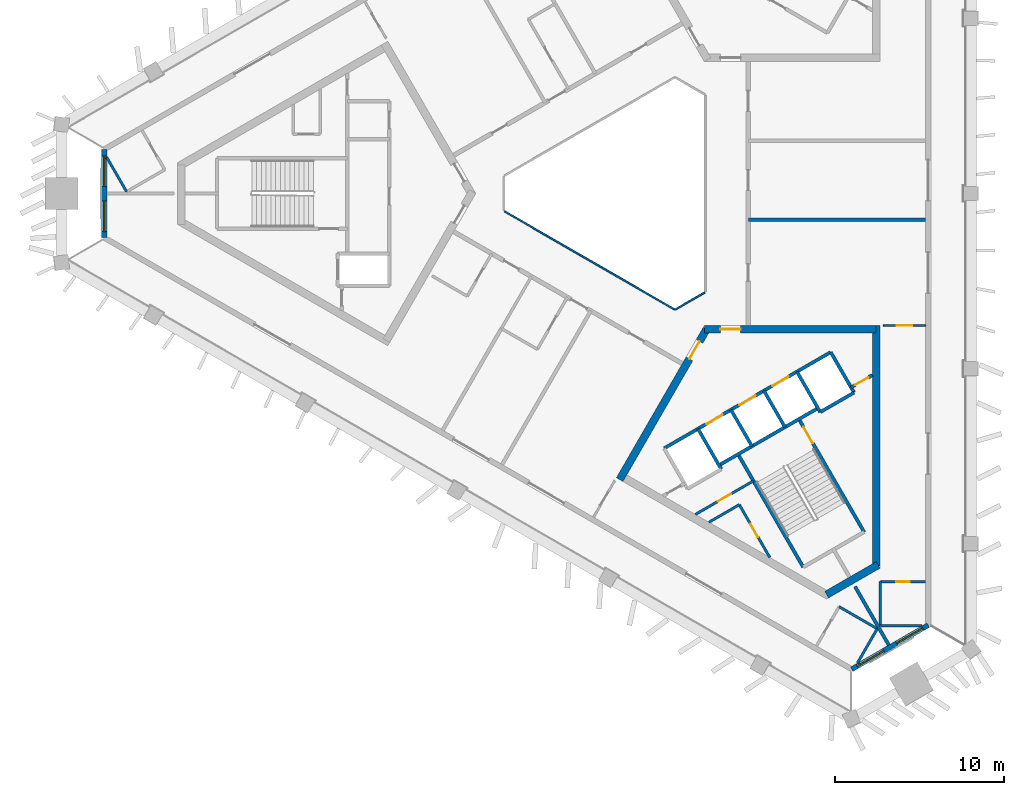
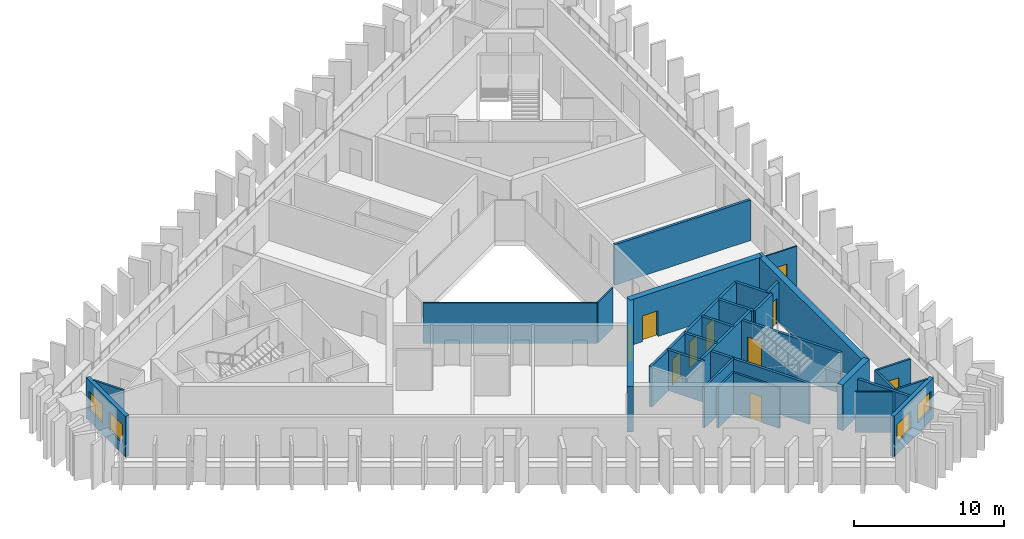
# One storey, part 3 of 10: 31 walls, 11 doors, 4 windows, 15 openings.
"""IFC4 building model written with IfcOpenShell, lengths in metres."""

from ifc_helpers import new_model, si_unit, direction, frame, frame_2d, origin, place, context, subcontext, project, spatial, rectangle, extrude, material, layer, layer_set, type_object, element, fill, save


model = new_model("IFC4")

# Units and contexts
model_context = context("Model", 3, precision=1e-05, world=origin(), true_north=direction((0.0, 1.0)))
body_context = subcontext(model_context, "Body", "Model", "MODEL_VIEW")
ifc_project = project(units=[si_unit("LENGTHUNIT", "METRE"), si_unit("AREAUNIT", "SQUARE_METRE"), si_unit("VOLUMEUNIT", "CUBIC_METRE"), si_unit("PLANEANGLEUNIT", "RADIAN"), si_unit("MASSUNIT", "GRAM", prefix="KILO")], contexts=[model_context])

# Site, building, storey
site_placement = place(None, origin())
site = spatial("IfcSite", under=ifc_project, at=site_placement, CompositionType="ELEMENT")
building_placement = place(site_placement, origin())
building = spatial("IfcBuilding", under=site, at=building_placement, Name="Jabali Bay Hotel Tower and Convention Centre", CompositionType="ELEMENT")
storey_placement = place(building_placement, frame((0.0, 0.0, 216.89990234375)))
storey = spatial("IfcBuildingStorey", under=building, at=storey_placement, Name="L53", CompositionType="ELEMENT", Elevation=216.89990234375)

# Walls
ifc_material_1 = material(Name="Fire-resistant glazing", Category="glass")
ifc_layer_1 = layer(ifc_material_1, 0.10009765625)
ifc_layer_set_1 = layer_set([ifc_layer_1], Name="Fire-resistant glazing")
wall_type_1 = type_object("IfcWallType", Name="Atrium glazed screen 100", PredefinedType="PARTITIONING", material=ifc_layer_set_1)
wall_1_placement = place(storey_placement, frame((67.7021484375, 78.947998046875, 0.0), z_axis=(0.0, 0.0, 1.0), x_axis=(0.866026658274, -0.499997827154, 0.0)))
element("IfcWall", 1, at=wall_1_placement, inside=storey, type_object=wall_type_1, Name="Atrium screen 5 L53", PredefinedType="PARTITIONING", context=body_context, shape_type="SweptSolid", body=[
    extrude(rectangle(XDim=11.58837890625, YDim=0.10009765625, at=frame_2d((5.794189453125, 0.0))), origin(), (0.0, 0.0, 1.0), 3.300048828125),
])
wall_2_placement = place(storey_placement, frame((77.7978515625, 73.15380859375, 0.0), z_axis=(0.0, 0.0, 1.0), x_axis=(0.866041268327, 0.499972520799, 0.0)))
element("IfcWall", 2, at=wall_2_placement, inside=storey, type_object=wall_type_1, Name="Atrium screen 6 L53", PredefinedType="PARTITIONING", context=body_context, shape_type="SweptSolid", body=[
    extrude(rectangle(XDim=2.0, YDim=0.10009765625, at=frame_2d((1.0, 0.0))), origin(), (0.0, 0.0, 1.0), 3.300048828125),
])

# Wall, opening, door
ifc_material_2 = material(Name="Concrete C40", Category="concrete")
ifc_layer_2 = layer(ifc_material_2, 0.199951171875)
ifc_layer_set_2 = layer_set([ifc_layer_2], Name="Concrete C40")
wall_type_2 = type_object("IfcWallType", Name="Core partition wall 200", PredefinedType="PARTITIONING", material=ifc_layer_set_2)
wall_3_placement = place(storey_placement, frame((88.164794921875, 68.548095703125, 0.0), z_axis=(0.0, 0.0, 1.0), x_axis=(0.866013036001, 0.500021421018, 0.0)))
wall_3 = element("IfcWall", 3, at=wall_3_placement, inside=storey, type_object=wall_type_2, Name="Core wall 2.12 L53", PredefinedType="PARTITIONING", context=body_context, shape_type="SweptSolid", body=[
    extrude(rectangle(XDim=1.4609375, YDim=0.199951171875, at=frame_2d((0.73046875, 0.0))), origin(), (0.0, 0.0, 1.0), 3.300048828125),
])
opening_1_placement = place(wall_3_placement, frame((0.280517578125, 0.0, 0.0)))
opening_1 = element("IfcOpeningElement", 4, at=opening_1_placement, cuts=wall_3, Name="Opening D1160", PredefinedType="OPENING", context=body_context, shape_type="SweptSolid", body=[
    extrude(rectangle(XDim=0.89990234375, YDim=2.10009765625, at=frame_2d((0.449951171875, 1.050048828125))), frame((0.0, 0.1103515625, 0.0), z_axis=(0.0, -1.0, 0.0), x_axis=(1.0, 0.0, 0.0)), (0.0, 0.0, 1.0), 0.220947265625),
])
ifc_material_3 = material(Name="Fire-rated steel door", Category="steel")
door_type_1 = type_object("IfcDoorType", Name="Vestibule fire door 900 x 2100", OperationType="NOTDEFINED", PredefinedType="NOTDEFINED", material=ifc_material_3)
door_1_placement = place(opening_1_placement, origin())
door_1 = element("IfcDoor", 5, at=door_1_placement, inside=storey, type_object=door_type_1, Name="Vestibule fire door D1160", OperationType="SINGLE_SWING_LEFT", OverallHeight=2.10009765625, OverallWidth=0.89990234375, PredefinedType="NOTDEFINED", context=body_context, shape_type="SweptSolid", body=[
    extrude(rectangle(XDim=0.89990234375, YDim=2.10009765625, at=frame_2d((0.449951171875, 1.050048828125))), frame((0.0, 0.02490234375, 0.0), z_axis=(0.0, -1.0, 0.0), x_axis=(1.0, 0.0, 0.0)), (0.0, 0.0, 1.0), 0.050048828125),
])
fill(opening_1, door_1)

ifc_material_4 = material(Name="Fire-rated board partition")
ifc_layer_3 = layer(ifc_material_4, 0.14990234375)
ifc_layer_set_3 = layer_set([ifc_layer_3], Name="Fire-rated board partition")
wall_type_3 = type_object("IfcWallType", Name="Core room partition 150", PredefinedType="PARTITIONING", material=ifc_layer_set_3)
wall_4_placement = place(storey_placement, frame((81.56884765625, 61.622314453125, 0.0), z_axis=(0.0, 0.0, 1.0), x_axis=(0.500043557135, -0.866000254601, 0.0)))
wall_4 = element("IfcWall", 6, at=wall_4_placement, inside=storey, type_object=wall_type_3, Name="Core wall 2.1 L53", PredefinedType="PARTITIONING", context=body_context, shape_type="SweptSolid", body=[
    extrude(rectangle(XDim=3.597900390625, YDim=0.14990234375, at=frame_2d((1.798828125, 0.0))), origin(), (0.0, 0.0, 1.0), 3.300048828125),
])
opening_2_placement = place(wall_4_placement, frame((1.321533203125, 0.0, 0.0)))
opening_2 = element("IfcOpeningElement", 7, at=opening_2_placement, cuts=wall_4, Name="Opening D1163", PredefinedType="OPENING", context=body_context, shape_type="SweptSolid", body=[
    extrude(rectangle(XDim=0.89990234375, YDim=2.10009765625, at=frame_2d((0.449951171875, 1.050048828125))), frame((0.0, 0.08544921875, 0.0), z_axis=(0.0, -1.0, 0.0), x_axis=(1.0, 0.0, 0.0)), (0.0, 0.0, 1.0), 0.1708984375),
])
door_type_2 = type_object("IfcDoorType", Name="Core room door 900 x 2100", OperationType="NOTDEFINED", PredefinedType="NOTDEFINED", material=ifc_material_3)
door_2_placement = place(opening_2_placement, origin())
door_2 = element("IfcDoor", 8, at=door_2_placement, inside=storey, type_object=door_type_2, Name="Core room door D1163", OperationType="SINGLE_SWING_LEFT", OverallHeight=2.10009765625, OverallWidth=0.89990234375, PredefinedType="NOTDEFINED", context=body_context, shape_type="SweptSolid", body=[
    extrude(rectangle(XDim=0.89990234375, YDim=2.10009765625, at=frame_2d((0.449951171875, 1.050048828125))), frame((0.0, 0.02490234375, 0.0), z_axis=(0.0, -1.0, 0.0), x_axis=(1.0, 0.0, 0.0)), (0.0, 0.0, 1.0), 0.050048828125),
])
fill(opening_2, door_2)

wall_5_placement = place(storey_placement, frame((78.969970703125, 61.045654296875, 0.0), z_axis=(0.0, 0.0, 1.0), x_axis=(0.866044057189, 0.499967689963, 0.0)))
wall_5 = element("IfcWall", 9, at=wall_5_placement, inside=storey, type_object=wall_type_3, Name="Core wall 2.16 L53", PredefinedType="PARTITIONING", context=body_context, shape_type="SweptSolid", body=[
    extrude(rectangle(XDim=3.964111328125, YDim=0.14990234375, at=frame_2d((1.98193359375, 0.0))), origin(), (0.0, 0.0, 1.0), 3.300048828125),
])
opening_3_placement = place(wall_5_placement, frame((1.531982421875, 0.0, 0.0)))
opening_3 = element("IfcOpeningElement", 10, at=opening_3_placement, cuts=wall_5, Name="Opening D1159", PredefinedType="OPENING", context=body_context, shape_type="SweptSolid", body=[
    extrude(rectangle(XDim=0.89990234375, YDim=2.10009765625, at=frame_2d((0.449951171875, 1.050048828125))), frame((0.0, 0.08544921875, 0.0), z_axis=(0.0, -1.0, 0.0), x_axis=(1.0, 0.0, 0.0)), (0.0, 0.0, 1.0), 0.1708984375),
])
door_3_placement = place(opening_3_placement, origin())
door_3 = element("IfcDoor", 11, at=door_3_placement, inside=storey, type_object=door_type_2, Name="Core room door D1159", OperationType="SINGLE_SWING_RIGHT", OverallHeight=2.10009765625, OverallWidth=0.89990234375, PredefinedType="NOTDEFINED", context=body_context, shape_type="SweptSolid", body=[
    extrude(rectangle(XDim=0.89990234375, YDim=2.10009765625, at=frame_2d((0.449951171875, 1.050048828125))), frame((0.0, 0.02490234375, 0.0), z_axis=(0.0, -1.0, 0.0), x_axis=(1.0, 0.0, 0.0)), (0.0, 0.0, 1.0), 0.050048828125),
])
fill(opening_3, door_3)

# Walls
wall_6_placement = place(storey_placement, frame((79.77001953125, 60.583740234375, 0.0), z_axis=(0.0, 0.0, 1.0), x_axis=(0.866021168401, 0.500007335828, 0.0)))
element("IfcWall", 12, at=wall_6_placement, inside=storey, type_object=wall_type_3, Name="Core wall 2.17 L53", PredefinedType="PARTITIONING", context=body_context, shape_type="SweptSolid", body=[
    extrude(rectangle(XDim=2.0771484375, YDim=0.14990234375, at=frame_2d((1.03857421875, 0.0))), origin(), (0.0, 0.0, 1.0), 3.300048828125),
])
ifc_layer_4 = layer(ifc_material_2, 0.199951171875)
ifc_layer_set_4 = layer_set([ifc_layer_4], Name="Concrete C40")
wall_type_4 = type_object("IfcWallType", Name="Core stair wall 200", PredefinedType="SOLIDWALL", material=ifc_layer_set_4)
wall_7_placement = place(storey_placement, frame((79.127197265625, 66.1015625, 0.0), z_axis=(0.0, 0.0, 1.0), x_axis=(0.499996545922, -0.866027397988, 0.0)))
element("IfcWall", 13, at=wall_7_placement, inside=storey, type_object=wall_type_4, Name="Core wall 2.2 L53", PredefinedType="SOLIDWALL", context=body_context, shape_type="SweptSolid", body=[
    extrude(rectangle(XDim=2.75, YDim=0.199951171875, at=frame_2d((1.375, 0.0))), origin(), (0.0, 0.0, 1.0), 3.300048828125),
])
wall_8_placement = place(storey_placement, frame((81.492919921875, 64.603759765625, 0.0), z_axis=(0.0, 0.0, 1.0), x_axis=(0.500006057782, -0.866021906294, 0.0)))
element("IfcWall", 14, at=wall_8_placement, inside=storey, type_object=wall_type_4, Name="Core wall 2.3 L53", PredefinedType="SOLIDWALL", context=body_context, shape_type="SweptSolid", body=[
    extrude(rectangle(XDim=7.7001953125, YDim=0.199951171875, at=frame_2d((3.85009765625, 0.0))), origin(), (0.0, 0.0, 1.0), 3.300048828125),
])
for number, where, z_axis, x_axis, name in (
    (15, (81.07568359375, 67.2265625, 0.0), (0.0, 0.0, 1.0), (0.50000366821, -0.866023285932, 0.0), "Core wall 2.4 L53"),
    (16, (83.024169921875, 68.3515625, 0.0), (0.0, 0.0, 1.0), (0.50000366821, -0.866023285932, 0.0), "Core wall 2.6 L53"),
):
    element("IfcWall", number, at=place(storey_placement, frame(where, z_axis=z_axis, x_axis=x_axis)), inside=storey, type_object=wall_type_4, Name=name, PredefinedType="SOLIDWALL", context=body_context, shape_type="SweptSolid", body=[
        extrude(rectangle(XDim=2.47998046875, YDim=0.199951171875, at=frame_2d((1.239990234375, 0.0))), origin(), (0.0, 0.0, 1.0), 3.300048828125),
    ])

# Wall, opening, door
wall_9_placement = place(storey_placement, frame((85.0869140625, 66.6787109375, 0.0), z_axis=(0.0, 0.0, 1.0), x_axis=(0.500019787375, -0.866013979237, 0.0)))
wall_9 = element("IfcWall", 17, at=wall_9_placement, inside=storey, type_object=wall_type_4, Name="Core wall 2.7 L53", PredefinedType="SOLIDWALL", context=body_context, shape_type="SweptSolid", body=[
    extrude(rectangle(XDim=7.699951171875, YDim=0.199951171875, at=frame_2d((3.85009765625, 0.0))), origin(), (0.0, 0.0, 1.0), 3.300048828125),
])
opening_4_placement = place(wall_9_placement, frame((0.550048828125, 0.0, 0.0)))
opening_4 = element("IfcOpeningElement", 18, at=opening_4_placement, cuts=wall_9, Name="Opening D1162", PredefinedType="OPENING", context=body_context, shape_type="SweptSolid", body=[
    extrude(rectangle(XDim=1.10009765625, YDim=2.10009765625, at=frame_2d((0.550048828125, 1.050048828125))), frame((0.0, 0.1103515625, 0.0), z_axis=(0.0, -1.0, 0.0), x_axis=(1.0, 0.0, 0.0)), (0.0, 0.0, 1.0), 0.220947265625),
])
door_type_3 = type_object("IfcDoorType", Name="Stair fire door 1100 x 2100", OperationType="NOTDEFINED", PredefinedType="NOTDEFINED", material=ifc_material_3)
door_4_placement = place(opening_4_placement, origin())
door_4 = element("IfcDoor", 19, at=door_4_placement, inside=storey, type_object=door_type_3, Name="Stair fire door D1162", OperationType="SINGLE_SWING_RIGHT", OverallHeight=2.10009765625, OverallWidth=1.10009765625, PredefinedType="NOTDEFINED", context=body_context, shape_type="SweptSolid", body=[
    extrude(rectangle(XDim=1.10009765625, YDim=2.10009765625, at=frame_2d((0.550048828125, 1.050048828125))), frame((0.0, 0.02490234375, 0.0), z_axis=(0.0, -1.0, 0.0), x_axis=(1.0, 0.0, 0.0)), (0.0, 0.0, 1.0), 0.050048828125),
])
fill(opening_4, door_4)

# Walls
for number, where, z_axis, x_axis, name in (
    (20, (84.972900390625, 69.4765625, 0.0), (0.0, 0.0, 1.0), (0.499996545922, -0.866027397988, 0.0), "Core wall 2.8 L53"),
    (21, (86.964599609375, 70.62646484375, 0.0), (0.0, 0.0, 1.0), (0.499996545922, -0.866027397988, 0.0), "Core wall 2.9 L53"),
):
    element("IfcWall", number, at=place(storey_placement, frame(where, z_axis=z_axis, x_axis=x_axis)), inside=storey, type_object=wall_type_4, Name=name, PredefinedType="SOLIDWALL", context=body_context, shape_type="SweptSolid", body=[
        extrude(rectangle(XDim=2.75, YDim=0.199951171875, at=frame_2d((1.375, 0.0))), origin(), (0.0, 0.0, 1.0), 3.300048828125),
    ])

# Wall, openings, doors
wall_10_placement = place(storey_placement, frame((77.13525390625, 64.95166015625, 0.0), z_axis=(0.0, 0.0, 1.0), x_axis=(0.866031916153, 0.499988720078, 0.0)))
wall_10 = element("IfcWall", 22, at=wall_10_placement, inside=storey, type_object=wall_type_4, Name="Core wall 2.10 L53", PredefinedType="SOLIDWALL", context=body_context, shape_type="SweptSolid", body=[
    extrude(rectangle(XDim=11.349853515625, YDim=0.199951171875, at=frame_2d((5.6748046875, 0.0))), origin(), (0.0, 0.0, 1.0), 3.300048828125),
])
opening_5_placement = place(wall_10_placement, frame((2.875, 0.0, 0.0)))
opening_5 = element("IfcOpeningElement", 23, at=opening_5_placement, cuts=wall_10, Name="Opening LD12-L53", PredefinedType="OPENING", context=body_context, shape_type="SweptSolid", body=[
    extrude(rectangle(XDim=1.10009765625, YDim=2.10009765625, at=frame_2d((0.550048828125, 1.050048828125))), frame((0.0, 0.1103515625, 0.0), z_axis=(0.0, -1.0, 0.0), x_axis=(1.0, 0.0, 0.0)), (0.0, 0.0, 1.0), 0.220947265625),
])
opening_6_placement = place(wall_10_placement, frame((5.125, 0.0, 0.0)))
opening_6 = element("IfcOpeningElement", 24, at=opening_6_placement, cuts=wall_10, Name="Opening LD13-L53", PredefinedType="OPENING", context=body_context, shape_type="SweptSolid", body=[
    extrude(rectangle(XDim=1.10009765625, YDim=2.10009765625, at=frame_2d((0.550048828125, 1.050048828125))), frame((0.0, 0.1103515625, 0.0), z_axis=(0.0, -1.0, 0.0), x_axis=(1.0, 0.0, 0.0)), (0.0, 0.0, 1.0), 0.220947265625),
])
opening_7_placement = place(wall_10_placement, frame((7.375, 0.0, 0.0)))
opening_7 = element("IfcOpeningElement", 25, at=opening_7_placement, cuts=wall_10, Name="Opening LD14-L53", PredefinedType="OPENING", context=body_context, shape_type="SweptSolid", body=[
    extrude(rectangle(XDim=1.10009765625, YDim=2.10009765625, at=frame_2d((0.550048828125, 1.050048828125))), frame((0.0, 0.1103515625, 0.0), z_axis=(0.0, -1.0, 0.0), x_axis=(1.0, 0.0, 0.0)), (0.0, 0.0, 1.0), 0.220947265625),
])
ifc_material_5 = material(Name="Stainless steel landing door", Category="steel")
door_type_4 = type_object("IfcDoorType", Name="Landing door 1100 x 2100", OperationType="NOTDEFINED", PredefinedType="NOTDEFINED", material=ifc_material_5)
door_5_placement = place(opening_5_placement, origin())
door_5 = element("IfcDoor", 26, at=door_5_placement, inside=storey, type_object=door_type_4, Name="Landing doors LD12-L53", OperationType="SLIDING_TO_LEFT", OverallHeight=2.10009765625, OverallWidth=1.10009765625, PredefinedType="NOTDEFINED", context=body_context, shape_type="SweptSolid", body=[
    extrude(rectangle(XDim=1.10009765625, YDim=2.10009765625, at=frame_2d((0.550048828125, 1.050048828125))), frame((0.0, 0.02490234375, 0.0), z_axis=(0.0, -1.0, 0.0), x_axis=(1.0, 0.0, 0.0)), (0.0, 0.0, 1.0), 0.050048828125),
])
fill(opening_5, door_5)
door_6_placement = place(opening_6_placement, origin())
door_6 = element("IfcDoor", 27, at=door_6_placement, inside=storey, type_object=door_type_4, Name="Landing doors LD13-L53", OperationType="SLIDING_TO_RIGHT", OverallHeight=2.10009765625, OverallWidth=1.10009765625, PredefinedType="NOTDEFINED", context=body_context, shape_type="SweptSolid", body=[
    extrude(rectangle(XDim=1.10009765625, YDim=2.10009765625, at=frame_2d((0.550048828125, 1.050048828125))), frame((0.0, 0.02490234375, 0.0), z_axis=(0.0, -1.0, 0.0), x_axis=(1.0, 0.0, 0.0)), (0.0, 0.0, 1.0), 0.050048828125),
])
fill(opening_6, door_6)
door_7_placement = place(opening_7_placement, origin())
door_7 = element("IfcDoor", 28, at=door_7_placement, inside=storey, type_object=door_type_4, Name="Landing doors LD14-L53", OperationType="SLIDING_TO_LEFT", OverallHeight=2.10009765625, OverallWidth=1.10009765625, PredefinedType="NOTDEFINED", context=body_context, shape_type="SweptSolid", body=[
    extrude(rectangle(XDim=1.10009765625, YDim=2.10009765625, at=frame_2d((0.550048828125, 1.050048828125))), frame((0.0, 0.02490234375, 0.0), z_axis=(0.0, -1.0, 0.0), x_axis=(1.0, 0.0, 0.0)), (0.0, 0.0, 1.0), 0.050048828125),
])
fill(opening_7, door_7)

# Walls
wall_11_placement = place(storey_placement, frame((80.3671875, 63.953857421875, 0.0), z_axis=(0.0, 0.0, 1.0), x_axis=(0.866026575979, 0.499997969693, 0.0)))
element("IfcWall", 29, at=wall_11_placement, inside=storey, type_object=wall_type_4, Name="Core wall 2.13 L53", PredefinedType="SOLIDWALL", context=body_context, shape_type="SweptSolid", body=[
    extrude(rectangle(XDim=6.75, YDim=0.199951171875, at=frame_2d((3.375, 0.0))), origin(), (0.0, 0.0, 1.0), 3.300048828125),
])
wall_12_placement = place(storey_placement, frame((86.347900390625, 67.094970703125, 0.0), z_axis=(0.0, 0.0, 1.0), x_axis=(0.86602648383, 0.499998129301, 0.0)))
element("IfcWall", 30, at=wall_12_placement, inside=storey, type_object=wall_type_4, Name="Core wall 2.15 L53", PredefinedType="SOLIDWALL", context=body_context, shape_type="SweptSolid", body=[
    extrude(rectangle(XDim=2.2998046875, YDim=0.199951171875, at=frame_2d((1.14990234375, 0.0))), origin(), (0.0, 0.0, 1.0), 3.300048828125),
])

# Wall, opening, door
ifc_material_6 = material(Name="Concrete C60", Category="concrete")
ifc_layer_5 = layer(ifc_material_6, 0.449951171875)
ifc_layer_set_5 = layer_set([ifc_layer_5], Name="Concrete C60")
wall_type_5 = type_object("IfcWallType", Name="Core wall 450", PredefinedType="SHEAR", material=ifc_layer_set_5)
wall_13_placement = place(storey_placement, frame((79.6298828125, 71.980712890625, 0.0), z_axis=(0.0, 0.0, 1.0), x_axis=(-0.500002171595, -0.86602415001, 0.0)))
wall_13 = element("IfcWall", 31, at=wall_13_placement, inside=storey, type_object=wall_type_5, Name="Core wall 3.1 L53", PredefinedType="SHEAR", context=body_context, shape_type="SweptSolid", body=[
    extrude(rectangle(XDim=10.25, YDim=0.449951171875, at=frame_2d((5.125, 0.0))), origin(), (0.0, 0.0, 1.0), 3.7001953125),
])
opening_8_placement = place(wall_13_placement, frame((0.820068359375, 0.0, 0.0)))
opening_8 = element("IfcOpeningElement", 32, at=opening_8_placement, cuts=wall_13, Name="Opening D1157", PredefinedType="OPENING", context=body_context, shape_type="SweptSolid", body=[
    extrude(rectangle(XDim=1.199951171875, YDim=2.10009765625, at=frame_2d((0.60009765625, 1.050048828125))), frame((0.0, 0.2353515625, 0.0), z_axis=(0.0, -1.0, 0.0), x_axis=(1.0, 0.0, 0.0)), (0.0, 0.0, 1.0), 0.470947265625),
])
door_type_5 = type_object("IfcDoorType", Name="Corridor end fire door 1200 x 2100", OperationType="NOTDEFINED", PredefinedType="NOTDEFINED", material=ifc_material_3)
door_8_placement = place(opening_8_placement, origin())
door_8 = element("IfcDoor", 33, at=door_8_placement, inside=storey, type_object=door_type_5, Name="Corridor end fire door D1157", OperationType="SINGLE_SWING_RIGHT", OverallHeight=2.10009765625, OverallWidth=1.199951171875, PredefinedType="NOTDEFINED", context=body_context, shape_type="SweptSolid", body=[
    extrude(rectangle(XDim=1.199951171875, YDim=2.10009765625, at=frame_2d((0.60009765625, 1.050048828125))), frame((0.0, 0.02490234375, 0.0), z_axis=(0.0, -1.0, 0.0), x_axis=(1.0, 0.0, 0.0)), (0.0, 0.0, 1.0), 0.050048828125),
])
fill(opening_8, door_8)

# Walls
wall_14_placement = place(storey_placement, frame((86.72314453125, 56.3095703125, 0.0), z_axis=(0.0, 0.0, 1.0), x_axis=(0.866042179588, 0.49997094233, 0.0)))
element("IfcWall", 34, at=wall_14_placement, inside=storey, type_object=wall_type_5, Name="Core wall 3.3 L53", PredefinedType="SHEAR", context=body_context, shape_type="SweptSolid", body=[
    extrude(rectangle(XDim=3.515380859375, YDim=0.449951171875, at=frame_2d((1.7578125, 0.0))), origin(), (0.0, 0.0, 1.0), 3.7001953125),
])
wall_15_placement = place(storey_placement, frame((89.655029296875, 58.002197265625, 0.0), z_axis=(0.0, 0.0, 1.0), x_axis=(0.0, 1.0, 0.0)))
element("IfcWall", 35, at=wall_15_placement, inside=storey, type_object=wall_type_5, Name="Core wall 3.4 L53", PredefinedType="SHEAR", context=body_context, shape_type="SweptSolid", body=[
    extrude(rectangle(XDim=14.20361328125, YDim=0.449951171875, at=frame_2d((7.101806640625, 0.0))), origin(), (0.0, 0.0, 1.0), 3.7001953125),
])

# Wall, opening, door
wall_16_placement = place(storey_placement, frame((89.655029296875, 71.980712890625, 0.0), z_axis=(0.0, 0.0, 1.0), x_axis=(-1.0, 0.0, 0.0)))
wall_16 = element("IfcWall", 36, at=wall_16_placement, inside=storey, type_object=wall_type_5, Name="Core wall 3.5 L53", PredefinedType="SHEAR", context=body_context, shape_type="SweptSolid", body=[
    extrude(rectangle(XDim=10.155029296875, YDim=0.449951171875, at=frame_2d((5.07763671875, 0.0))), origin(), (0.0, 0.0, 1.0), 3.7001953125),
])
opening_9_placement = place(wall_16_placement, frame((8.0048828125, 0.0, 0.0)))
opening_9 = element("IfcOpeningElement", 37, at=opening_9_placement, cuts=wall_16, Name="Opening D1158", PredefinedType="OPENING", context=body_context, shape_type="SweptSolid", body=[
    extrude(rectangle(XDim=1.199951171875, YDim=2.10009765625, at=frame_2d((0.60009765625, 1.050048828125))), frame((0.0, 0.2353515625, 0.0), z_axis=(0.0, -1.0, 0.0), x_axis=(1.0, 0.0, 0.0)), (0.0, 0.0, 1.0), 0.470947265625),
])
door_9_placement = place(opening_9_placement, origin())
door_9 = element("IfcDoor", 38, at=door_9_placement, inside=storey, type_object=door_type_5, Name="Corridor end fire door D1158", OperationType="SINGLE_SWING_LEFT", OverallHeight=2.10009765625, OverallWidth=1.199951171875, PredefinedType="NOTDEFINED", context=body_context, shape_type="SweptSolid", body=[
    extrude(rectangle(XDim=1.199951171875, YDim=2.10009765625, at=frame_2d((0.60009765625, 1.050048828125))), frame((0.0, 0.02490234375, 0.0), z_axis=(0.0, -1.0, 0.0), x_axis=(1.0, 0.0, 0.0)), (0.0, 0.0, 1.0), 0.050048828125),
])
fill(opening_9, door_9)

# Wall, openings, windows
ifc_layer_6 = layer(ifc_material_2, 0.300048828125)
ifc_layer_set_6 = layer_set([ifc_layer_6], Name="Concrete C40")
wall_type_6 = type_object("IfcWallType", Name="External wall 300", PredefinedType="SOLIDWALL", material=ifc_layer_set_6)
wall_17_placement = place(storey_placement, frame((44.06298828125, 77.392578125, 0.0), z_axis=(0.0, 0.0, 1.0), x_axis=(0.0, 1.0, 0.0)))
wall_17 = element("IfcWall", 39, at=wall_17_placement, inside=storey, type_object=wall_type_6, Name="External wall west chamfer L53", PredefinedType="SOLIDWALL", context=body_context, shape_type="SweptSolid", body=[
    extrude(rectangle(XDim=5.21484375, YDim=0.300048828125, at=frame_2d((2.607421875, 0.0))), origin(), (0.0, 0.0, 1.0), 3.300048828125),
])
opening_10_placement = place(wall_17_placement, frame((3.0361328125, 0.0, 0.89990234375)))
opening_10 = element("IfcOpeningElement", 40, at=opening_10_placement, cuts=wall_17, Name="Opening W1", PredefinedType="OPENING", context=body_context, shape_type="SweptSolid", body=[
    extrude(rectangle(XDim=1.800048828125, YDim=1.5, at=frame_2d((0.89990234375, 0.75))), frame((0.0, 0.16064453125, 0.0), z_axis=(0.0, -1.0, 0.0), x_axis=(1.0, 0.0, 0.0)), (0.0, 0.0, 1.0), 0.321044921875),
])
opening_11_placement = place(wall_17_placement, frame((0.361083984375, 0.0, 0.89990234375)))
opening_11 = element("IfcOpeningElement", 41, at=opening_11_placement, cuts=wall_17, Name="Opening W1", PredefinedType="OPENING", context=body_context, shape_type="SweptSolid", body=[
    extrude(rectangle(XDim=1.800048828125, YDim=1.5, at=frame_2d((0.89990234375, 0.75))), frame((0.0, 0.16064453125, 0.0), z_axis=(0.0, -1.0, 0.0), x_axis=(1.0, 0.0, 0.0)), (0.0, 0.0, 1.0), 0.321044921875),
])
ifc_material_7 = material(Name="Glass", Category="glass")
window_type = type_object("IfcWindowType", Name="Window 1800 x 1500", PartitioningType="SINGLE_PANEL", PredefinedType="WINDOW", material=ifc_material_7)
window_1_placement = place(opening_10_placement, origin())
window_1 = element("IfcWindow", 42, at=window_1_placement, inside=storey, type_object=window_type, Name="Window 5305", OverallHeight=1.5, OverallWidth=1.800048828125, PartitioningType="SINGLE_PANEL", PredefinedType="WINDOW", context=body_context, shape_type="SweptSolid", body=[
    extrude(rectangle(XDim=1.800048828125, YDim=1.5, at=frame_2d((0.89990234375, 0.75))), frame((0.0, 0.030029296875, 0.0), z_axis=(0.0, -1.0, 0.0), x_axis=(1.0, 0.0, 0.0)), (0.0, 0.0, 1.0), 0.06005859375),
])
fill(opening_10, window_1)
window_2_placement = place(opening_11_placement, origin())
window_2 = element("IfcWindow", 43, at=window_2_placement, inside=storey, type_object=window_type, Name="Window 5306", OverallHeight=1.5, OverallWidth=1.800048828125, PartitioningType="SINGLE_PANEL", PredefinedType="WINDOW", context=body_context, shape_type="SweptSolid", body=[
    extrude(rectangle(XDim=1.800048828125, YDim=1.5, at=frame_2d((0.89990234375, 0.75))), frame((0.0, 0.030029296875, 0.0), z_axis=(0.0, -1.0, 0.0), x_axis=(1.0, 0.0, 0.0)), (0.0, 0.0, 1.0), 0.06005859375),
])
fill(opening_11, window_2)

wall_18_placement = place(storey_placement, frame((92.726806640625, 54.511474609375, 0.0), z_axis=(0.0, 0.0, 1.0), x_axis=(-0.866045268016, -0.499965592563, 0.0)))
wall_18 = element("IfcWall", 44, at=wall_18_placement, inside=storey, type_object=wall_type_6, Name="External wall south-east chamfer L53", PredefinedType="SOLIDWALL", context=body_context, shape_type="SweptSolid", body=[
    extrude(rectangle(XDim=5.215087890625, YDim=0.300048828125, at=frame_2d((2.607421875, 0.0))), origin(), (0.0, 0.0, 1.0), 3.300048828125),
])
opening_12_placement = place(wall_18_placement, frame((0.351318359375, 0.0, 0.89990234375)))
opening_12 = element("IfcOpeningElement", 45, at=opening_12_placement, cuts=wall_18, Name="Opening W1", PredefinedType="OPENING", context=body_context, shape_type="SweptSolid", body=[
    extrude(rectangle(XDim=1.800048828125, YDim=1.5, at=frame_2d((0.89990234375, 0.75))), frame((0.0, 0.16064453125, 0.0), z_axis=(0.0, -1.0, 0.0), x_axis=(1.0, 0.0, 0.0)), (0.0, 0.0, 1.0), 0.321044921875),
])
opening_13_placement = place(wall_18_placement, frame((3.0361328125, 0.0, 0.89990234375)))
opening_13 = element("IfcOpeningElement", 46, at=opening_13_placement, cuts=wall_18, Name="Opening W1", PredefinedType="OPENING", context=body_context, shape_type="SweptSolid", body=[
    extrude(rectangle(XDim=1.800048828125, YDim=1.5, at=frame_2d((0.89990234375, 0.75))), frame((0.0, 0.16064453125, 0.0), z_axis=(0.0, -1.0, 0.0), x_axis=(1.0, 0.0, 0.0)), (0.0, 0.0, 1.0), 0.321044921875),
])
window_3_placement = place(opening_12_placement, origin())
window_3 = element("IfcWindow", 47, at=window_3_placement, inside=storey, type_object=window_type, Name="Window 5301", OverallHeight=1.5, OverallWidth=1.800048828125, PartitioningType="SINGLE_PANEL", PredefinedType="WINDOW", context=body_context, shape_type="SweptSolid", body=[
    extrude(rectangle(XDim=1.800048828125, YDim=1.5, at=frame_2d((0.89990234375, 0.75))), frame((0.0, 0.030029296875, 0.0), z_axis=(0.0, -1.0, 0.0), x_axis=(1.0, 0.0, 0.0)), (0.0, 0.0, 1.0), 0.06005859375),
])
fill(opening_12, window_3)
window_4_placement = place(opening_13_placement, origin())
window_4 = element("IfcWindow", 48, at=window_4_placement, inside=storey, type_object=window_type, Name="Window 5308", OverallHeight=1.5, OverallWidth=1.800048828125, PartitioningType="SINGLE_PANEL", PredefinedType="WINDOW", context=body_context, shape_type="SweptSolid", body=[
    extrude(rectangle(XDim=1.800048828125, YDim=1.5, at=frame_2d((0.89990234375, 0.75))), frame((0.0, 0.030029296875, 0.0), z_axis=(0.0, -1.0, 0.0), x_axis=(1.0, 0.0, 0.0)), (0.0, 0.0, 1.0), 0.06005859375),
])
fill(opening_13, window_4)

# Wall, opening, door
ifc_material_8 = material(Name="Plasterboard on steel stud", Category="steel")
ifc_layer_7 = layer(ifc_material_8, 0.10009765625)
ifc_layer_set_7 = layer_set([ifc_layer_7], Name="Plasterboard on steel stud")
wall_type_7 = type_object("IfcWallType", Name="Partition 100 unit", PredefinedType="PARTITIONING", material=ifc_layer_set_7)
wall_19_placement = place(storey_placement, frame((90.0791015625, 72.205810546875, 0.0), z_axis=(0.0, 0.0, 1.0), x_axis=(1.0, 0.0, 0.0)))
wall_19 = element("IfcWall", 49, at=wall_19_placement, inside=storey, type_object=wall_type_7, Name="Partition P02 L53 001", PredefinedType="PARTITIONING", context=body_context, shape_type="SweptSolid", body=[
    extrude(rectangle(XDim=2.49853515625, YDim=0.10009765625, at=frame_2d((1.249267578125, 0.0))), origin(), (0.0, 0.0, 1.0), 3.300048828125),
])
opening_14_placement = place(wall_19_placement, frame((0.799072265625, 0.0, 0.0)))
opening_14 = element("IfcOpeningElement", 50, at=opening_14_placement, cuts=wall_19, Name="Opening 5302", PredefinedType="OPENING", context=body_context, shape_type="SweptSolid", body=[
    extrude(rectangle(XDim=0.89990234375, YDim=2.10009765625, at=frame_2d((0.449951171875, 1.050048828125))), frame((0.0, 0.060546875, 0.0), z_axis=(0.0, -1.0, 0.0), x_axis=(1.0, 0.0, 0.0)), (0.0, 0.0, 1.0), 0.12109375),
])
ifc_material_9 = material(Name="Timber", Category="wood")
door_type_6 = type_object("IfcDoorType", Name="Internal door 900 x 2100", OperationType="NOTDEFINED", PredefinedType="NOTDEFINED", material=ifc_material_9)
door_10_placement = place(opening_14_placement, origin())
door_10 = element("IfcDoor", 51, at=door_10_placement, inside=storey, type_object=door_type_6, Name="Door 5302", OperationType="SINGLE_SWING_LEFT", OverallHeight=2.10009765625, OverallWidth=0.89990234375, PredefinedType="NOTDEFINED", context=body_context, shape_type="SweptSolid", body=[
    extrude(rectangle(XDim=0.89990234375, YDim=2.10009765625, at=frame_2d((0.449951171875, 1.050048828125))), frame((0.0, 0.02490234375, 0.0), z_axis=(0.0, -1.0, 0.0), x_axis=(1.0, 0.0, 0.0)), (0.0, 0.0, 1.0), 0.050048828125),
])
fill(opening_14, door_10)

# Walls
ifc_layer_8 = layer(ifc_material_8, 0.14990234375)
ifc_layer_set_8 = layer_set([ifc_layer_8], Name="Plasterboard on steel stud")
wall_type_8 = type_object("IfcWallType", Name="Partition 150 wet", PredefinedType="PARTITIONING", material=ifc_layer_set_8)
wall_20_placement = place(storey_placement, frame((92.370361328125, 54.477783203125, 0.0), z_axis=(0.0, 0.0, 1.0), x_axis=(-1.0, 0.0, 0.0)))
element("IfcWall", 52, at=wall_20_placement, inside=storey, type_object=wall_type_8, Name="Partition P03 L53 003", PredefinedType="PARTITIONING", context=body_context, shape_type="SweptSolid", body=[
    extrude(rectangle(XDim=2.46875, YDim=0.14990234375, at=frame_2d((1.234375, 0.0))), origin(), (0.0, 0.0, 1.0), 3.300048828125),
])
wall_21_placement = place(storey_placement, frame((89.901611328125, 54.477783203125, 0.0), z_axis=(0.0, 0.0, 1.0), x_axis=(0.0, 1.0, 0.0)))
element("IfcWall", 53, at=wall_21_placement, inside=storey, type_object=wall_type_8, Name="Partition P03 L53 004", PredefinedType="PARTITIONING", context=body_context, shape_type="SweptSolid", body=[
    extrude(rectangle(XDim=2.60009765625, YDim=0.14990234375, at=frame_2d((1.300048828125, 0.0))), origin(), (0.0, 0.0, 1.0), 3.300048828125),
])

# Wall, opening, door
wall_22_placement = place(storey_placement, frame((89.901611328125, 57.077880859375, 0.0), z_axis=(0.0, 0.0, 1.0), x_axis=(1.0, 0.0, 0.0)))
wall_22 = element("IfcWall", 54, at=wall_22_placement, inside=storey, type_object=wall_type_8, Name="Partition P03 L53 005", PredefinedType="PARTITIONING", context=body_context, shape_type="SweptSolid", body=[
    extrude(rectangle(XDim=2.676025390625, YDim=0.14990234375, at=frame_2d((1.337890625, 0.0))), origin(), (0.0, 0.0, 1.0), 3.300048828125),
])
opening_15_placement = place(wall_22_placement, frame((0.93798828125, 0.0, 0.0)))
opening_15 = element("IfcOpeningElement", 55, at=opening_15_placement, cuts=wall_22, Name="Opening 5303", PredefinedType="OPENING", context=body_context, shape_type="SweptSolid", body=[
    extrude(rectangle(XDim=0.800048828125, YDim=2.10009765625, at=frame_2d((0.39990234375, 1.050048828125))), frame((0.0, 0.08544921875, 0.0), z_axis=(0.0, -1.0, 0.0), x_axis=(1.0, 0.0, 0.0)), (0.0, 0.0, 1.0), 0.1708984375),
])
door_type_7 = type_object("IfcDoorType", Name="En-suite door 800 x 2100", OperationType="NOTDEFINED", PredefinedType="NOTDEFINED", material=ifc_material_9)
door_11_placement = place(opening_15_placement, origin())
door_11 = element("IfcDoor", 56, at=door_11_placement, inside=storey, type_object=door_type_7, Name="Door 5303", OperationType="SINGLE_SWING_RIGHT", OverallHeight=2.10009765625, OverallWidth=0.800048828125, PredefinedType="NOTDEFINED", context=body_context, shape_type="SweptSolid", body=[
    extrude(rectangle(XDim=0.800048828125, YDim=2.10009765625, at=frame_2d((0.39990234375, 1.050048828125))), frame((0.0, 0.02490234375, 0.0), z_axis=(0.0, -1.0, 0.0), x_axis=(1.0, 0.0, 0.0)), (0.0, 0.0, 1.0), 0.050048828125),
])
fill(opening_15, door_11)

# Walls
wall_23_placement = place(storey_placement, frame((45.384033203125, 80.10791015625, 0.0), z_axis=(0.0, 0.0, 1.0), x_axis=(-0.500025973189, 0.866010407637, 0.0)))
element("IfcWall", 57, at=wall_23_placement, inside=storey, type_object=wall_type_8, Name="Partition P03 L53 020", PredefinedType="PARTITIONING", context=body_context, shape_type="SweptSolid", body=[
    extrude(rectangle(XDim=2.34423828125, YDim=0.14990234375, at=frame_2d((1.172119140625, 0.0))), origin(), (0.0, 0.0, 1.0), 3.300048828125),
])
wall_24_placement = place(storey_placement, frame((87.462890625, 55.59765625, 0.0), z_axis=(0.0, 0.0, 1.0), x_axis=(0.866062058628, -0.499936506574, 0.0)))
element("IfcWall", 58, at=wall_24_placement, inside=storey, type_object=wall_type_8, Name="Partition P03 L53 031", PredefinedType="PARTITIONING", context=body_context, shape_type="SweptSolid", body=[
    extrude(rectangle(XDim=2.599853515625, YDim=0.14990234375, at=frame_2d((1.2998046875, 0.0))), origin(), (0.0, 0.0, 1.0), 3.300048828125),
])
wall_25_placement = place(storey_placement, frame((89.714599609375, 54.2978515625, 0.0), z_axis=(0.0, 0.0, 1.0), x_axis=(-0.500025973189, -0.866010407637, 0.0)))
element("IfcWall", 59, at=wall_25_placement, inside=storey, type_object=wall_type_8, Name="Partition P03 L53 032", PredefinedType="PARTITIONING", context=body_context, shape_type="SweptSolid", body=[
    extrude(rectangle(XDim=2.34423828125, YDim=0.14990234375, at=frame_2d((1.172119140625, 0.0))), origin(), (0.0, 0.0, 1.0), 3.300048828125),
])
ifc_layer_9 = layer(ifc_material_8, 0.199951171875)
ifc_layer_set_9 = layer_set([ifc_layer_9], Name="Plasterboard on steel stud")
wall_type_9 = type_object("IfcWallType", Name="Partition 200 party", PredefinedType="PARTITIONING", material=ifc_layer_set_9)
wall_26_placement = place(storey_placement, frame((92.57763671875, 78.441162109375, 0.0), z_axis=(0.0, 0.0, 1.0), x_axis=(-1.0, 0.0, 0.0)))
element("IfcWall", 60, at=wall_26_placement, inside=storey, type_object=wall_type_9, Name="Partition P01 L53 002", PredefinedType="PARTITIONING", context=body_context, shape_type="SweptSolid", body=[
    extrude(rectangle(XDim=10.4775390625, YDim=0.199951171875, at=frame_2d((5.23876953125, 0.0))), origin(), (0.0, 0.0, 1.0), 3.300048828125),
])
wall_27_placement = place(storey_placement, frame((88.401123046875, 56.788818359375, 0.0), z_axis=(0.0, 0.0, 1.0), x_axis=(0.49999285859, -0.86602952684, 0.0)))
element("IfcWall", 61, at=wall_27_placement, inside=storey, type_object=wall_type_9, Name="Partition P01 L53 006", PredefinedType="PARTITIONING", context=body_context, shape_type="SweptSolid", body=[
    extrude(rectangle(XDim=3.98583984375, YDim=0.199951171875, at=frame_2d((1.992919921875, 0.0))), origin(), (0.0, 0.0, 1.0), 3.300048828125),
])

save(model, "model.ifc")
